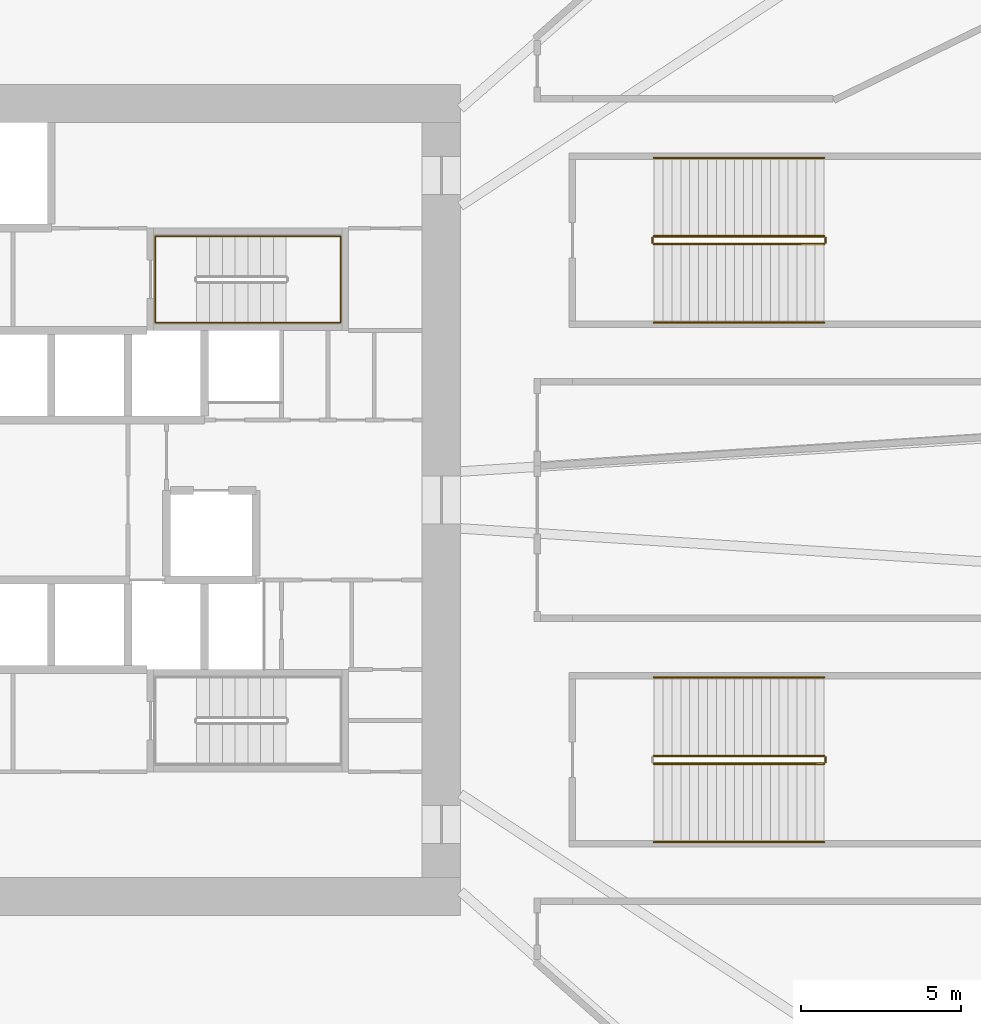
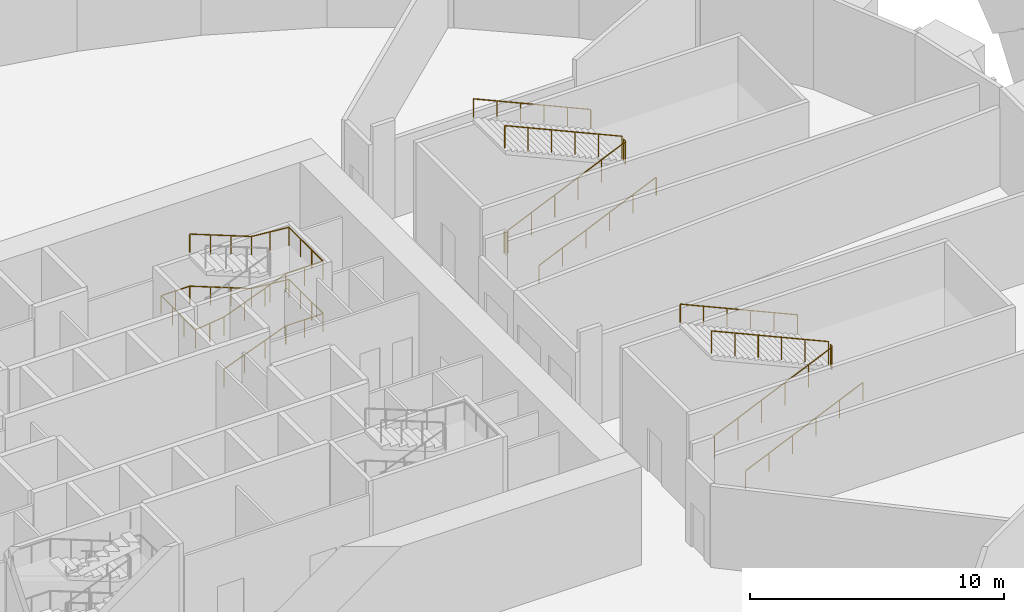
# One storey, part 16 of 16: 12 railings.
"""IFC4 building model written with IfcOpenShell, lengths in metres."""

from ifc_helpers import new_model, si_unit, direction, frame, origin, origin_2d, place, context, subcontext, project, spatial, circle, extrude, source, transform, mapped, material, type_object, element, save


model = new_model("IFC4")

# Units and contexts
model_context = context("Model", 3, precision=1e-05, world=origin(), true_north=direction((0.0, 1.0)))
body_context = subcontext(model_context, "Body", "Model", "MODEL_VIEW")
ifc_project = project(units=[si_unit("LENGTHUNIT", "METRE"), si_unit("AREAUNIT", "SQUARE_METRE"), si_unit("VOLUMEUNIT", "CUBIC_METRE"), si_unit("PLANEANGLEUNIT", "RADIAN"), si_unit("MASSUNIT", "GRAM", prefix="KILO")], contexts=[model_context])

# Site, building, storey
site_placement = place(None, origin())
site = spatial("IfcSite", under=ifc_project, at=site_placement, CompositionType="ELEMENT")
building_placement = place(site_placement, origin())
building = spatial("IfcBuilding", under=site, at=building_placement, Name="Embergate Tower", CompositionType="ELEMENT")
storey_placement = place(building_placement, frame((0.0, 0.0, 24.0)))
storey = spatial("IfcBuildingStorey", under=building, at=storey_placement, Name="L02", CompositionType="ELEMENT", Elevation=24.0)

# Railings
ifc_material_1 = material(Name="Stair handrail 900")
railing_type_1 = type_object("IfcRailingType", Name="Stair handrail 900", PredefinedType="HANDRAIL", material=ifc_material_1)
shared_shape_1 = source(origin(), body_context, "Body", "SweptSolid", [
    extrude(circle(Radius=0.02392578125, at=origin_2d()), frame((0.0, 0.0, 0.8759765625), z_axis=(0.93145949984, 0.0, 0.363845022171), x_axis=(0.0, 1.0, 0.0)), (0.0, 0.0, 1.0), 3.006103515625),
    extrude(circle(Radius=0.02392578125, at=origin_2d()), frame((2.800048828125, 0.0, 1.9697265625), z_axis=(1.0, 0.0, 0.0), x_axis=(0.0, 1.0, 0.0)), (0.0, 0.0, 1.0), 1.699951171875),
    extrude(circle(Radius=0.02392578125, at=origin_2d()), frame((4.5, 0.0, 1.9697265625), z_axis=(0.0, 1.0, 0.0), x_axis=(-1.0, 0.0, 0.0)), (0.0, 0.0, 1.0), 2.699951171875),
    extrude(circle(Radius=0.02392578125, at=origin_2d()), frame((4.5, 2.699951171875, 1.9697265625), z_axis=(-0.995802448953, 0.0, 0.091528589305), x_axis=(0.0, -1.0, 0.0)), (0.0, 0.0, 1.0), 1.70703125),
    extrude(circle(Radius=0.02392578125, at=origin_2d()), frame((2.800048828125, 2.699951171875, 2.1259765625), z_axis=(-0.93145949984, 0.0, 0.363845022171), x_axis=(0.0, -1.0, 0.0)), (0.0, 0.0, 1.0), 3.006103515625),
    extrude(circle(Radius=0.02392578125, at=origin_2d()), frame((0.0, 2.699951171875, 3.2197265625), z_axis=(-1.0, 0.0, 0.0), x_axis=(0.0, -1.0, 0.0)), (0.0, 0.0, 1.0), 1.300048828125),
    extrude(circle(Radius=0.02392578125, at=origin_2d()), frame((-1.300048828125, 2.699951171875, 3.2197265625), z_axis=(0.0, -1.0, 0.0), x_axis=(1.0, 0.0, 0.0)), (0.0, 0.0, 1.0), 2.699951171875),
    extrude(circle(Radius=0.02392578125, at=origin_2d()), frame((-1.300048828125, 0.0, 3.2197265625), z_axis=(0.992854764896, 0.0, 0.119329023387), x_axis=(0.0, 1.0, 0.0)), (0.0, 0.0, 1.0), 1.309326171875),
    extrude(circle(Radius=0.02392578125, at=origin_2d()), frame((0.0, 0.0, 3.3759765625), z_axis=(0.93145949984, 0.0, 0.363845022171), x_axis=(0.0, 1.0, 0.0)), (0.0, 0.0, 1.0), 3.006103515625),
    extrude(circle(Radius=0.02392578125, at=origin_2d()), frame((2.800048828125, 0.0, 4.4697265625), z_axis=(1.0, 0.0, 0.0), x_axis=(0.0, 1.0, 0.0)), (0.0, 0.0, 1.0), 1.699951171875),
    extrude(circle(Radius=0.02392578125, at=origin_2d()), frame((4.5, 0.0, 4.4697265625), z_axis=(0.0, 1.0, 0.0), x_axis=(-1.0, 0.0, 0.0)), (0.0, 0.0, 1.0), 2.699951171875),
    extrude(circle(Radius=0.02392578125, at=origin_2d()), frame((4.5, 2.699951171875, 4.4697265625), z_axis=(-0.995802448953, 0.0, 0.091528589305), x_axis=(0.0, -1.0, 0.0)), (0.0, 0.0, 1.0), 1.70703125),
    extrude(circle(Radius=0.02392578125, at=origin_2d()), frame((2.800048828125, 2.699951171875, 4.6259765625), z_axis=(-0.93145949984, 0.0, 0.363845022171), x_axis=(0.0, -1.0, 0.0)), (0.0, 0.0, 1.0), 3.006103515625),
    extrude(circle(Radius=0.02099609375, at=origin_2d()), origin(), (0.0, 0.0, 1.0), 0.851806640625),
    extrude(circle(Radius=0.02099609375, at=origin_2d()), frame((0.933349609375, 0.0, 0.364501953125)), (0.0, 0.0, 1.0), 0.851806640625),
    extrude(circle(Radius=0.02099609375, at=origin_2d()), frame((1.86669921875, 0.0, 0.729248046875)), (0.0, 0.0, 1.0), 0.851806640625),
    extrude(circle(Radius=0.02099609375, at=origin_2d()), frame((2.800048828125, 0.0, 1.09375)), (0.0, 0.0, 1.0), 0.851806640625),
    extrude(circle(Radius=0.02099609375, at=origin_2d()), frame((3.64990234375, 0.0, 1.09375)), (0.0, 0.0, 1.0), 0.851806640625),
    extrude(circle(Radius=0.02099609375, at=origin_2d()), frame((4.5, 0.0, 1.09375)), (0.0, 0.0, 1.0), 0.851806640625),
    extrude(circle(Radius=0.02099609375, at=origin_2d()), frame((4.5, 0.89990234375, 1.09375)), (0.0, 0.0, 1.0), 0.851806640625),
    extrude(circle(Radius=0.02099609375, at=origin_2d()), frame((4.5, 1.800048828125, 1.09375)), (0.0, 0.0, 1.0), 0.851806640625),
    extrude(circle(Radius=0.02099609375, at=origin_2d()), frame((4.5, 2.699951171875, 1.09375)), (0.0, 0.0, 1.0), 0.851806640625),
    extrude(circle(Radius=0.02099609375, at=origin_2d()), frame((3.64990234375, 2.699951171875, 1.171875)), (0.0, 0.0, 1.0), 0.851806640625),
    extrude(circle(Radius=0.02099609375, at=origin_2d()), frame((2.800048828125, 2.699951171875, 1.25)), (0.0, 0.0, 1.0), 0.851806640625),
    extrude(circle(Radius=0.02099609375, at=origin_2d()), frame((1.86669921875, 2.699951171875, 1.614501953125)), (0.0, 0.0, 1.0), 0.851806640625),
    extrude(circle(Radius=0.02099609375, at=origin_2d()), frame((0.933349609375, 2.699951171875, 1.979248046875)), (0.0, 0.0, 1.0), 0.851806640625),
    extrude(circle(Radius=0.02099609375, at=origin_2d()), frame((0.0, 2.699951171875, 2.34375)), (0.0, 0.0, 1.0), 0.851806640625),
    extrude(circle(Radius=0.02099609375, at=origin_2d()), frame((-0.64990234375, 2.699951171875, 2.34375)), (0.0, 0.0, 1.0), 0.851806640625),
    extrude(circle(Radius=0.02099609375, at=origin_2d()), frame((-1.300048828125, 2.699951171875, 2.34375)), (0.0, 0.0, 1.0), 0.851806640625),
    extrude(circle(Radius=0.02099609375, at=origin_2d()), frame((-1.300048828125, 1.800048828125, 2.34375)), (0.0, 0.0, 1.0), 0.851806640625),
    extrude(circle(Radius=0.02099609375, at=origin_2d()), frame((-1.300048828125, 0.89990234375, 2.34375)), (0.0, 0.0, 1.0), 0.851806640625),
    extrude(circle(Radius=0.02099609375, at=origin_2d()), frame((-1.300048828125, 0.0, 2.34375)), (0.0, 0.0, 1.0), 0.851806640625),
    extrude(circle(Radius=0.02099609375, at=origin_2d()), frame((-0.64990234375, 0.0, 2.421875)), (0.0, 0.0, 1.0), 0.851806640625),
    extrude(circle(Radius=0.02099609375, at=origin_2d()), frame((0.0, 0.0, 2.5)), (0.0, 0.0, 1.0), 0.851806640625),
    extrude(circle(Radius=0.02099609375, at=origin_2d()), frame((0.933349609375, 0.0, 2.864501953125)), (0.0, 0.0, 1.0), 0.851806640625),
    extrude(circle(Radius=0.02099609375, at=origin_2d()), frame((1.86669921875, 0.0, 3.229248046875)), (0.0, 0.0, 1.0), 0.851806640625),
    extrude(circle(Radius=0.02099609375, at=origin_2d()), frame((2.800048828125, 0.0, 3.59375)), (0.0, 0.0, 1.0), 0.851806640625),
    extrude(circle(Radius=0.02099609375, at=origin_2d()), frame((3.64990234375, 0.0, 3.59375)), (0.0, 0.0, 1.0), 0.851806640625),
    extrude(circle(Radius=0.02099609375, at=origin_2d()), frame((4.5, 0.0, 3.59375)), (0.0, 0.0, 1.0), 0.851806640625),
    extrude(circle(Radius=0.02099609375, at=origin_2d()), frame((4.5, 0.89990234375, 3.59375)), (0.0, 0.0, 1.0), 0.851806640625),
    extrude(circle(Radius=0.02099609375, at=origin_2d()), frame((4.5, 1.800048828125, 3.59375)), (0.0, 0.0, 1.0), 0.851806640625),
    extrude(circle(Radius=0.02099609375, at=origin_2d()), frame((4.5, 2.699951171875, 3.59375)), (0.0, 0.0, 1.0), 0.851806640625),
    extrude(circle(Radius=0.02099609375, at=origin_2d()), frame((3.64990234375, 2.699951171875, 3.671875)), (0.0, 0.0, 1.0), 0.851806640625),
    extrude(circle(Radius=0.02099609375, at=origin_2d()), frame((2.800048828125, 2.699951171875, 3.75)), (0.0, 0.0, 1.0), 0.851806640625),
    extrude(circle(Radius=0.02099609375, at=origin_2d()), frame((1.86669921875, 2.699951171875, 4.114501953125)), (0.0, 0.0, 1.0), 0.851806640625),
    extrude(circle(Radius=0.02099609375, at=origin_2d()), frame((0.933349609375, 2.699951171875, 4.479248046875)), (0.0, 0.0, 1.0), 0.851806640625),
    extrude(circle(Radius=0.02099609375, at=origin_2d()), frame((0.0, 2.699951171875, 4.84375)), (0.0, 0.0, 1.0), 0.851806640625),
])
railing_placement = place(storey_placement, frame((5.75, 5.550048828125, 0.15625)))
element("IfcRailing", 1, at=railing_placement, inside=storey, type_object=railing_type_1, Name="L02 ST2 stair handrail 1", PredefinedType="HANDRAIL", context=body_context, shape_type="MappedRepresentation", body=[
    mapped(shared_shape_1, transform((0.0, 0.0, 0.0))),
])
ifc_material_2 = material(Name="Steel", Category="steel")
railing_type_2 = type_object("IfcRailingType", Name="Podium stair guard 1100", PredefinedType="GUARDRAIL", material=ifc_material_2)
shared_shape_2 = source(origin(), body_context, "Body", "SweptSolid", [
    extrude(circle(Radius=0.02392578125, at=origin_2d()), frame((0.0, 0.0, 1.076171875), z_axis=(0.0, 1.0, 0.0), x_axis=(-1.0, 0.0, 0.0)), (0.0, 0.0, 1.0), 0.14990234375),
    extrude(circle(Radius=0.02099609375, at=origin_2d()), origin(), (0.0, 0.0, 1.0), 1.052001953125),
    extrude(circle(Radius=0.02099609375, at=origin_2d()), frame((0.0, 0.14990234375, 0.0)), (0.0, 0.0, 1.0), 1.052001953125),
])
for number, where, name in (
    (2, (25.419921875, 8.050048828125, 2.5), "L02 P1 stair guard 2"),
    (3, (20.0, 8.050048828125, 0.0), "L02 P1 stair guard 4"),
    (4, (25.419921875, -8.199951171875, 2.5), "L02 P2 stair guard 2"),
):
    element("IfcRailing", number, at=place(storey_placement, frame(where)), inside=storey, type_object=railing_type_2, Name=name, PredefinedType="GUARDRAIL", context=body_context, shape_type="MappedRepresentation", body=[
        mapped(shared_shape_2, transform((0.0, 0.0, 0.0))),
    ])
shared_shape_3 = source(origin(), body_context, "Body", "SweptSolid", [
    extrude(circle(Radius=0.02392578125, at=origin_2d()), frame((0.0, 0.0, 1.076171875), z_axis=(0.913139832249, 0.0, 0.407646472769), x_axis=(0.0, 1.0, 0.0)), (0.0, 0.0, 1.0), 5.826171875),
    extrude(circle(Radius=0.02099609375, at=origin_2d()), origin(), (0.0, 0.0, 1.0), 1.052001953125),
    extrude(circle(Radius=0.02099609375, at=origin_2d()), frame((1.06396484375, 0.0, 0.47509765625)), (0.0, 0.0, 1.0), 1.052001953125),
    extrude(circle(Radius=0.02099609375, at=origin_2d()), frame((2.1279296875, 0.0, 0.949951171875)), (0.0, 0.0, 1.0), 1.052001953125),
    extrude(circle(Radius=0.02099609375, at=origin_2d()), frame((3.192138671875, 0.0, 1.425048828125)), (0.0, 0.0, 1.0), 1.052001953125),
    extrude(circle(Radius=0.02099609375, at=origin_2d()), frame((4.256103515625, 0.0, 1.89990234375)), (0.0, 0.0, 1.0), 1.052001953125),
    extrude(circle(Radius=0.02099609375, at=origin_2d()), frame((5.320068359375, 0.0, 2.375)), (0.0, 0.0, 1.0), 1.052001953125),
])
for number, where, name in (
    (5, (20.050048828125, 8.0, 0.125), "L02 P1 stair guard 1"),
    (6, (20.050048828125, -8.25, 0.125), "L02 P2 stair guard 1"),
):
    element("IfcRailing", number, at=place(storey_placement, frame(where)), inside=storey, type_object=railing_type_2, Name=name, PredefinedType="GUARDRAIL", context=body_context, shape_type="MappedRepresentation", body=[
        mapped(shared_shape_3, transform((0.0, 0.0, 0.0))),
    ])
shared_shape_4 = source(origin(), body_context, "Body", "SweptSolid", [
    extrude(circle(Radius=0.02392578125, at=origin_2d()), frame((0.0, 0.0, 1.076171875), z_axis=(-0.913139832249, 0.0, 0.407646472769), x_axis=(0.0, -1.0, 0.0)), (0.0, 0.0, 1.0), 5.826171875),
    extrude(circle(Radius=0.02099609375, at=origin_2d()), origin(), (0.0, 0.0, 1.0), 1.052001953125),
    extrude(circle(Radius=0.02099609375, at=origin_2d()), frame((-1.06396484375, 0.0, 0.47509765625)), (0.0, 0.0, 1.0), 1.052001953125),
    extrude(circle(Radius=0.02099609375, at=origin_2d()), frame((-2.1279296875, 0.0, 0.949951171875)), (0.0, 0.0, 1.0), 1.052001953125),
    extrude(circle(Radius=0.02099609375, at=origin_2d()), frame((-3.192138671875, 0.0, 1.425048828125)), (0.0, 0.0, 1.0), 1.052001953125),
    extrude(circle(Radius=0.02099609375, at=origin_2d()), frame((-4.256103515625, 0.0, 1.89990234375)), (0.0, 0.0, 1.0), 1.052001953125),
    extrude(circle(Radius=0.02099609375, at=origin_2d()), frame((-5.320068359375, 0.0, 2.375)), (0.0, 0.0, 1.0), 1.052001953125),
])
for number, where, name in (
    (7, (25.3701171875, 8.25, 2.625), "L02 P1 stair guard 3"),
    (8, (25.3701171875, -8.0, 2.625), "L02 P2 stair guard 3"),
):
    element("IfcRailing", number, at=place(storey_placement, frame(where)), inside=storey, type_object=railing_type_2, Name=name, PredefinedType="GUARDRAIL", context=body_context, shape_type="MappedRepresentation", body=[
        mapped(shared_shape_4, transform((0.0, 0.0, 0.0))),
    ])
railing_type_3 = type_object("IfcRailingType", Name="Podium stair handrail 900", PredefinedType="HANDRAIL", material=ifc_material_2)
shared_shape_5 = source(origin(), body_context, "Body", "SweptSolid", [
    extrude(circle(Radius=0.02392578125, at=origin_2d()), frame((0.0, 0.0, 0.8759765625), z_axis=(0.913139832249, 0.0, 0.407646472769), x_axis=(0.0, 1.0, 0.0)), (0.0, 0.0, 1.0), 5.826171875),
    extrude(circle(Radius=0.02099609375, at=origin_2d()), origin(), (0.0, 0.0, 1.0), 0.851806640625),
    extrude(circle(Radius=0.02099609375, at=origin_2d()), frame((1.06396484375, 0.0, 0.47509765625)), (0.0, 0.0, 1.0), 0.851806640625),
    extrude(circle(Radius=0.02099609375, at=origin_2d()), frame((2.1279296875, 0.0, 0.949951171875)), (0.0, 0.0, 1.0), 0.851806640625),
    extrude(circle(Radius=0.02099609375, at=origin_2d()), frame((3.192138671875, 0.0, 1.425048828125)), (0.0, 0.0, 1.0), 0.851806640625),
    extrude(circle(Radius=0.02099609375, at=origin_2d()), frame((4.256103515625, 0.0, 1.89990234375)), (0.0, 0.0, 1.0), 0.851806640625),
    extrude(circle(Radius=0.02099609375, at=origin_2d()), frame((5.320068359375, 0.0, 2.375)), (0.0, 0.0, 1.0), 0.851806640625),
])
for number, where, name in (
    (9, (20.050048828125, 5.550048828125, 0.125), "L02 P1 stair handrail 1"),
    (10, (20.050048828125, -10.699951171875, 0.125), "L02 P2 stair handrail 1"),
):
    element("IfcRailing", number, at=place(storey_placement, frame(where)), inside=storey, type_object=railing_type_3, Name=name, PredefinedType="HANDRAIL", context=body_context, shape_type="MappedRepresentation", body=[
        mapped(shared_shape_5, transform((0.0, 0.0, 0.0))),
    ])
shared_shape_6 = source(origin(), body_context, "Body", "SweptSolid", [
    extrude(circle(Radius=0.02392578125, at=origin_2d()), frame((0.0, 0.0, 0.8759765625), z_axis=(-0.913139832249, 0.0, 0.407646472769), x_axis=(0.0, -1.0, 0.0)), (0.0, 0.0, 1.0), 5.826171875),
    extrude(circle(Radius=0.02099609375, at=origin_2d()), origin(), (0.0, 0.0, 1.0), 0.851806640625),
    extrude(circle(Radius=0.02099609375, at=origin_2d()), frame((-1.06396484375, 0.0, 0.47509765625)), (0.0, 0.0, 1.0), 0.851806640625),
    extrude(circle(Radius=0.02099609375, at=origin_2d()), frame((-2.1279296875, 0.0, 0.949951171875)), (0.0, 0.0, 1.0), 0.851806640625),
    extrude(circle(Radius=0.02099609375, at=origin_2d()), frame((-3.192138671875, 0.0, 1.425048828125)), (0.0, 0.0, 1.0), 0.851806640625),
    extrude(circle(Radius=0.02099609375, at=origin_2d()), frame((-4.256103515625, 0.0, 1.89990234375)), (0.0, 0.0, 1.0), 0.851806640625),
    extrude(circle(Radius=0.02099609375, at=origin_2d()), frame((-5.320068359375, 0.0, 2.375)), (0.0, 0.0, 1.0), 0.851806640625),
])
for number, where, name in (
    (11, (25.3701171875, 10.699951171875, 2.625), "L02 P1 stair handrail 2"),
    (12, (25.3701171875, -5.550048828125, 2.625), "L02 P2 stair handrail 2"),
):
    element("IfcRailing", number, at=place(storey_placement, frame(where)), inside=storey, type_object=railing_type_3, Name=name, PredefinedType="HANDRAIL", context=body_context, shape_type="MappedRepresentation", body=[
        mapped(shared_shape_6, transform((0.0, 0.0, 0.0))),
    ])

save(model, "model.ifc")
